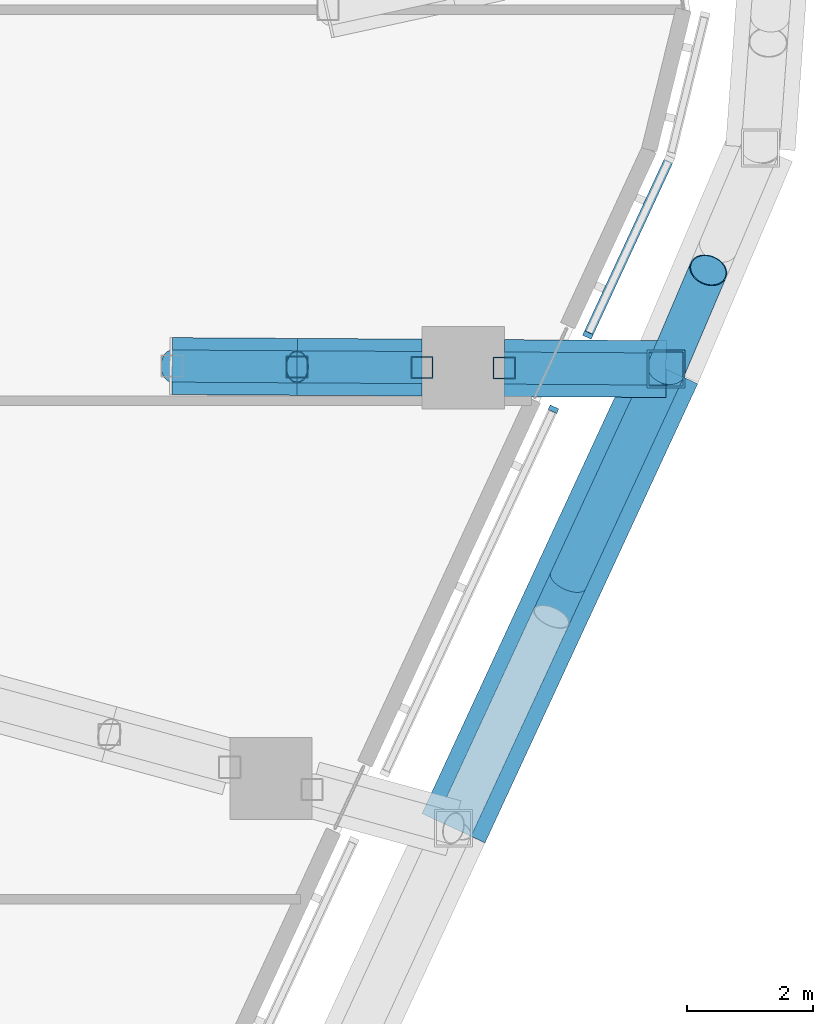
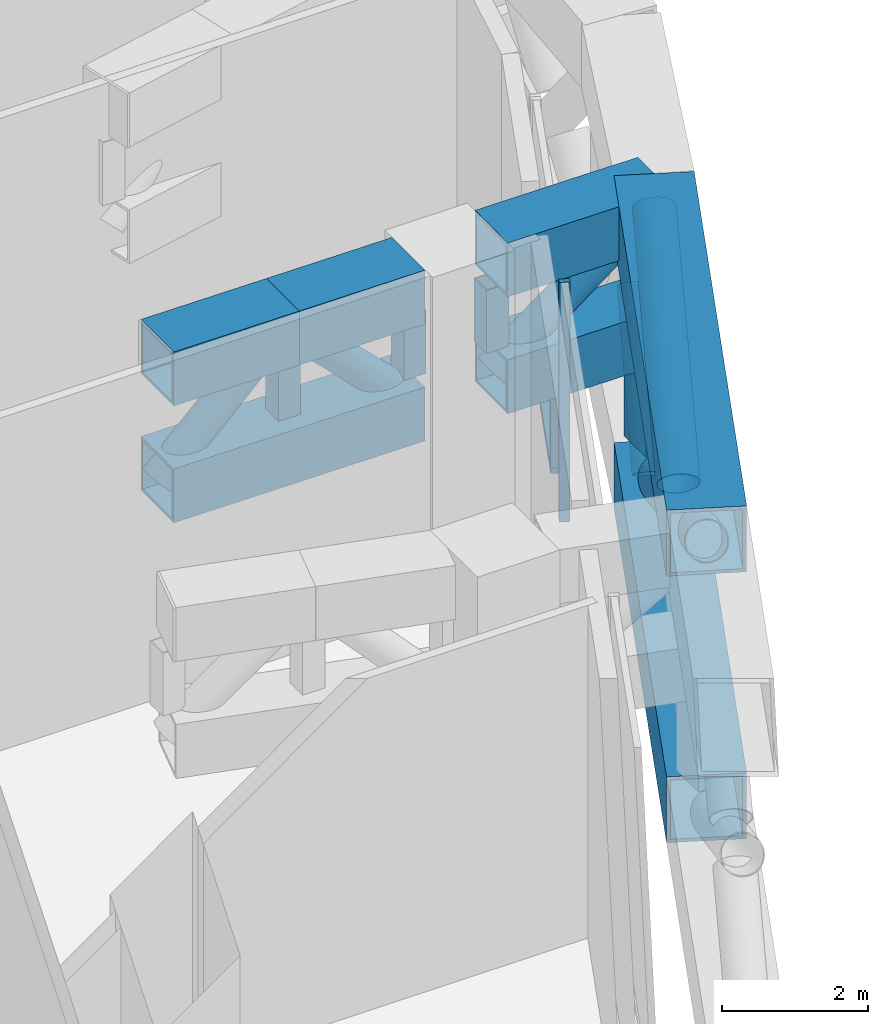
# One storey, part 8 of 30: 20 members, 1 element without a shape of its own.
"""IFC4 building model written with IfcOpenShell, lengths in metres."""

from ifc_helpers import new_model, si_unit, direction, frame, origin, origin_2d, place, context, subcontext, project, spatial, rectangle, hollow_rectangle, hollow_circle, extrude, material, layer, layer_set, material_profile, profile_set, type_object, element, aggregate, save


model = new_model("IFC4")

# Units and contexts
model_context = context("Model", 3, precision=1e-05, world=origin(), true_north=direction((0.0, 1.0)))
body_context = subcontext(model_context, "Body", "Model", "MODEL_VIEW")
ifc_project = project(units=[si_unit("LENGTHUNIT", "METRE"), si_unit("AREAUNIT", "SQUARE_METRE"), si_unit("VOLUMEUNIT", "CUBIC_METRE"), si_unit("PLANEANGLEUNIT", "RADIAN"), si_unit("MASSUNIT", "GRAM", prefix="KILO")], contexts=[model_context])

# Site, building, storey
site_placement = place(None, origin())
site = spatial("IfcSite", under=ifc_project, at=site_placement, CompositionType="ELEMENT")
building_placement = place(site_placement, origin())
building = spatial("IfcBuilding", under=site, at=building_placement, Name="Dongbaek Canopy Tower", CompositionType="ELEMENT")
storey_placement = place(building_placement, frame((0.0, 0.0, 145.60009765625)))
storey = spatial("IfcBuildingStorey", under=building, at=storey_placement, Name="L32", CompositionType="ELEMENT", Elevation=145.60009765625)

# Members
ifc_material_1 = material(Name="Steel S355", Category="steel")
ifc_material_profile_1 = material_profile(ifc_material_1, hollow_circle(Radius=0.304931640625, WallThickness=0.01611328125, at=origin_2d()), Name="BELT BRACE CHS 610.0x16.0 Steel S355")
ifc_profile_set_1 = profile_set([ifc_material_profile_1], Name="Steel S355")
member_type_1 = type_object("IfcMemberType", Name="BELT BRACE CHS 610.0x16.0 Steel S355", PredefinedType="BRACE", material=ifc_profile_set_1)
member_1_placement = place(storey_placement, frame((30.646240234375, -0.184326171875, 0.5498046875), z_axis=(-0.36736519919, -0.792966995247, 0.486051596925), x_axis=(0.907357444308, -0.420359927037, 0.0)))
element("IfcMember", 1, at=member_1_placement, inside=storey, type_object=member_type_1, Name="BELT:L32:22:D0:0", PredefinedType="BRACE", context=body_context, shape_type="SweptSolid", body=[
    extrude(hollow_circle(Radius=0.304931640625, WallThickness=0.01611328125, at=origin_2d()), origin(), (0.0, 0.0, 1.0), 9.15576171875),
])
member_2_placement = place(storey_placement, frame((30.646240234375, -0.184326171875, 5.0), z_axis=(-0.367352429298, -0.79297894434, -0.486041753887), x_axis=(0.907365433388, -0.420342681978, 0.0)))
element("IfcMember", 2, at=member_2_placement, inside=storey, type_object=member_type_1, Name="BELT:L32:22:D0:2", PredefinedType="BRACE", context=body_context, shape_type="SweptSolid", body=[
    extrude(hollow_circle(Radius=0.304931640625, WallThickness=0.01611328125, at=origin_2d()), origin(), (0.0, 0.0, 1.0), 4.21875),
])
member_3_placement = place(storey_placement, frame((30.646240234375, -0.184326171875, 0.5498046875), z_axis=(0.254502974163, 0.597354304826, 0.760523550358), x_axis=(-0.91998272586, 0.391958906161, 0.0)))
element("IfcMember", 3, at=member_3_placement, inside=storey, type_object=member_type_1, Name="BELT:L32:21:D1:1", PredefinedType="BRACE", context=body_context, shape_type="SweptSolid", body=[
    extrude(hollow_circle(Radius=0.304931640625, WallThickness=0.01611328125, at=origin_2d()), origin(), (0.0, 0.0, 1.0), 2.616943359375),
])
ifc_material_2 = material(Name="Steel S355", Category="steel")
ifc_material_profile_2 = material_profile(ifc_material_2, hollow_rectangle(XDim=1.10009765625, YDim=1.10009765625, WallThickness=0.054931640625, at=origin_2d()), Name="BELT CHORD BOX 1100x1100x55 Steel S355")
ifc_profile_set_2 = profile_set([ifc_material_profile_2], Name="Steel S355")
member_type_2 = type_object("IfcMemberType", Name="BELT CHORD BOX 1100x1100x55 Steel S355", PredefinedType="CHORD", material=ifc_profile_set_2)
for number, where, z_axis, x_axis, name in (
    (4, (30.646240234375, -0.184326171875, 0.5498046875), (-0.420359927037, -0.907357444308, 0.0), (0.907357444308, -0.420359927037, 0.0), "BELT:L32:22:CB0"),
    (5, (30.646240234375, -0.184326171875, 5.0), (-0.420359927037, -0.907357444308, 0.0), (0.907357444308, -0.420359927037, 0.0), "BELT:L32:22:CT0"),
):
    element("IfcMember", number, at=place(storey_placement, frame(where, z_axis=z_axis, x_axis=x_axis)), inside=storey, type_object=member_type_2, Name=name, PredefinedType="CHORD", context=body_context, shape_type="SweptSolid", body=[
        extrude(hollow_rectangle(XDim=1.10009765625, YDim=1.10009765625, WallThickness=0.054931640625, at=origin_2d()), origin(), (0.0, 0.0, 1.0), 8.00146484375),
    ])
ifc_material_3 = material(Name="Steel S355", Category="steel")
ifc_material_profile_3 = material_profile(ifc_material_3, hollow_rectangle(XDim=0.60009765625, YDim=0.60009765625, WallThickness=0.031982421875, at=origin_2d()), Name="BELT POST BOX 600x600x32 Steel S355")
ifc_profile_set_3 = profile_set([ifc_material_profile_3], Name="Steel S355")
member_type_3 = type_object("IfcMemberType", Name="BELT POST BOX 600x600x32 Steel S355", PredefinedType="POST", material=ifc_profile_set_3)
member_4_placement = place(storey_placement, frame((30.646240234375, -0.184326171875, 1.099853515625), z_axis=(0.0, 0.0, 1.0), x_axis=(1.0, 0.0, 0.0)))
element("IfcMember", 6, at=member_4_placement, inside=storey, type_object=member_type_3, Name="BELT:L32:22:P0", PredefinedType="POST", context=body_context, shape_type="SweptSolid", body=[
    extrude(hollow_rectangle(XDim=0.60009765625, YDim=0.60009765625, WallThickness=0.031982421875, at=origin_2d()), origin(), (0.0, 0.0, 1.0), 3.35009765625),
])
ifc_material_4 = material(Name="Steel S355", Category="steel")
ifc_material_profile_4 = material_profile(ifc_material_4, hollow_circle(Radius=0.25390625, WallThickness=0.01611328125, at=origin_2d()), Name="BRACE CHS 508.0x16.0 Steel S355")
ifc_profile_set_4 = profile_set([ifc_material_profile_4], Name="Steel S355")
member_type_4 = type_object("IfcMemberType", Name="BRACE CHS 508.0x16.0 Steel S355", PredefinedType="BRACE", material=ifc_profile_set_4)
for number, where, z_axis, x_axis, name in (
    (7, (22.836181640625, -0.13720703125, 3.14990234375), (0.711572342575, -0.004310427097, 0.702599616781), (0.006057497961, 0.999981653191, 0.0), "TRUSS:L32:22:D0"),
    (8, (24.81103515625, -0.149169921875, 5.099853515625), (0.711572342575, -0.004310427097, -0.702599616781), (0.006057497961, 0.999981653191, 0.0), "TRUSS:L32:22:D1"),
):
    element("IfcMember", number, at=place(storey_placement, frame(where, z_axis=z_axis, x_axis=x_axis)), inside=storey, type_object=member_type_4, Name=name, PredefinedType="BRACE", context=body_context, shape_type="SweptSolid", body=[
        extrude(hollow_circle(Radius=0.25390625, WallThickness=0.01611328125, at=origin_2d()), origin(), (0.0, 0.0, 1.0), 2.775390625),
    ])
member_5_placement = place(storey_placement, frame((28.0859375, -0.1689453125, 3.14990234375), z_axis=(0.795535812489, -0.004779131895, 0.605887721402), x_axis=(0.006007329381, 0.999981955834, 0.0)))
element("IfcMember", 9, at=member_5_placement, inside=storey, type_object=member_type_4, Name="TRUSS:L32:22x:D0", PredefinedType="BRACE", context=body_context, shape_type="SweptSolid", body=[
    extrude(hollow_circle(Radius=0.25390625, WallThickness=0.01611328125, at=origin_2d()), origin(), (0.0, 0.0, 1.0), 3.21826171875),
])
ifc_material_5 = material(Name="Steel S355", Category="steel")
ifc_material_profile_5 = material_profile(ifc_material_5, hollow_rectangle(XDim=0.89990234375, YDim=0.89990234375, WallThickness=0.044921875, at=origin_2d()), Name="CHORD BOX 900x900x45 Steel S355")
ifc_profile_set_5 = profile_set([ifc_material_profile_5], Name="Steel S355")
member_type_5 = type_object("IfcMemberType", Name="CHORD BOX 900x900x45 Steel S355", PredefinedType="CHORD", material=ifc_profile_set_5)
member_6_placement = place(storey_placement, frame((22.836181640625, -0.13720703125, 3.14990234375), z_axis=(0.999981653191, -0.006057497961, 0.0), x_axis=(0.006057497961, 0.999981653191, 0.0)))
element("IfcMember", 10, at=member_6_placement, inside=storey, type_object=member_type_5, Name="TRUSS:L32:22:CB", PredefinedType="CHORD", context=body_context, shape_type="SweptSolid", body=[
    extrude(hollow_rectangle(XDim=0.89990234375, YDim=0.89990234375, WallThickness=0.044921875, at=origin_2d()), origin(), (0.0, 0.0, 1.0), 3.94970703125),
])
for number, where, z_axis, x_axis, name in (
    (11, (22.836181640625, -0.13720703125, 5.099853515625), (0.999981653191, -0.006057497961, 0.0), (0.006057497961, 0.999981653191, 0.0), "TRUSS:L32:22:CT0"),
    (12, (24.81103515625, -0.149169921875, 5.099853515625), (0.999981653191, -0.006057497961, 0.0), (0.006057497961, 0.999981653191, 0.0), "TRUSS:L32:22:CT1"),
):
    element("IfcMember", number, at=place(storey_placement, frame(where, z_axis=z_axis, x_axis=x_axis)), inside=storey, type_object=member_type_5, Name=name, PredefinedType="CHORD", context=body_context, shape_type="SweptSolid", body=[
        extrude(hollow_rectangle(XDim=0.89990234375, YDim=0.89990234375, WallThickness=0.044921875, at=origin_2d()), origin(), (0.0, 0.0, 1.0), 1.974853515625),
    ])
for number, where, z_axis, x_axis, name in (
    (13, (28.0859375, -0.1689453125, 3.14990234375), (0.999981955834, -0.006007329381, 0.0), (0.006007329381, 0.999981955834, 0.0), "TRUSS:L32:22x:CB"),
    (14, (28.0859375, -0.1689453125, 5.099853515625), (0.999981955834, -0.006007329381, 0.0), (0.006007329381, 0.999981955834, 0.0), "TRUSS:L32:22x:CT0"),
):
    element("IfcMember", number, at=place(storey_placement, frame(where, z_axis=z_axis, x_axis=x_axis)), inside=storey, type_object=member_type_5, Name=name, PredefinedType="CHORD", context=body_context, shape_type="SweptSolid", body=[
        extrude(hollow_rectangle(XDim=0.89990234375, YDim=0.89990234375, WallThickness=0.044921875, at=origin_2d()), origin(), (0.0, 0.0, 1.0), 2.560302734375),
    ])

# Curtain wall, members
ifc_material_6 = material(Name="Aluminium 6063-T6 pale anodised", Category="aluminium")
ifc_layer = layer(ifc_material_6, 0.14990234375)
ifc_layer_set = layer_set([ifc_layer], Name="CW-7 louvre curtain wall")
curtain_wall_type = type_object("IfcCurtainWallType", Name="CW-7 louvre curtain wall", PredefinedType="NOTDEFINED", material=ifc_layer_set)
curtain_wall_placement = place(storey_placement, origin())
curtain_wall = element("IfcCurtainWall", 15, at=curtain_wall_placement, inside=storey, type_object=curtain_wall_type, Name="CW-7 louvre wall L32 F5", PredefinedType="NOTDEFINED")
ifc_material_7 = material(Name="Aluminium 6063-T6 pale anodised", Category="aluminium")
ifc_material_profile_6 = material_profile(ifc_material_7, rectangle(XDim=0.14990234375, YDim=0.080078125, at=origin_2d()), Name="CW-7 mullion 80 x 150")
ifc_profile_set_6 = profile_set([ifc_material_profile_6], Name="Aluminium 6063-T6 pale anodised")
member_type_6 = type_object("IfcMemberType", Name="CW-7 mullion 80 x 150", PredefinedType="MULLION", material=ifc_profile_set_6)
member_7_placement = place(storey_placement, frame((28.8642578125, -0.8193359375, 0.77490234375), z_axis=(0.0, 0.0, 1.0), x_axis=(0.907369226366, -0.420334494236, 0.0)))
member_7 = element("IfcMember", 16, at=member_7_placement, type_object=member_type_6, Name="CW-7 mullion L32 F5.4.2", PredefinedType="MULLION", context=body_context, shape_type="SweptSolid", body=[
    extrude(rectangle(XDim=0.14990234375, YDim=0.080078125, at=origin_2d()), origin(), (0.0, 0.0, 1.0), 4.0),
])
member_8_placement = place(storey_placement, frame((29.408203125, 0.354736328125, 0.77490234375), z_axis=(0.0, 0.0, 1.0), x_axis=(0.907369226366, -0.420334494236, 0.0)))
member_8 = element("IfcMember", 17, at=member_8_placement, type_object=member_type_6, Name="CW-7 mullion L32 F5.5.1", PredefinedType="MULLION", context=body_context, shape_type="SweptSolid", body=[
    extrude(rectangle(XDim=0.14990234375, YDim=0.080078125, at=origin_2d()), origin(), (0.0, 0.0, 1.0), 4.0),
])
ifc_material_8 = material(Name="Aluminium 6063-T6 pale anodised", Category="aluminium")
ifc_material_profile_7 = material_profile(ifc_material_8, rectangle(XDim=0.14990234375, YDim=0.1201171875, at=origin_2d()), Name="CW-7 transom 120 x 150")
ifc_profile_set_7 = profile_set([ifc_material_profile_7], Name="Aluminium 6063-T6 pale anodised")
member_type_7 = type_object("IfcMemberType", Name="CW-7 transom 120 x 150", PredefinedType="USERDEFINED", material=ifc_profile_set_7)
member_9_placement = place(storey_placement, frame((29.408203125, 0.354736328125, 0.71484375), z_axis=(0.420305824115, 0.907382507113, 0.0), x_axis=(-0.907382507113, 0.420305824115, 0.0)))
member_9 = element("IfcMember", 18, at=member_9_placement, type_object=member_type_7, Name="CW-7 transom L32 F5.5", ObjectType="TRANSOM", PredefinedType="USERDEFINED", context=body_context, shape_type="SweptSolid", body=[
    extrude(rectangle(XDim=0.14990234375, YDim=0.1201171875, at=origin_2d()), origin(), (0.0, 0.0, 1.0), 3.06396484375),
])
aggregate(curtain_wall, [member_7, member_9, member_8])

# Members
ifc_material_9 = material(Name="Steel S355", Category="steel")
ifc_material_profile_8 = material_profile(ifc_material_9, hollow_rectangle(XDim=0.35009765625, YDim=0.35009765625, WallThickness=0.01611328125, at=origin_2d()), Name="POST SHS 350x350x16 Steel S355")
ifc_profile_set_8 = profile_set([ifc_material_profile_8], Name="Steel S355")
member_type_8 = type_object("IfcMemberType", Name="POST SHS 350x350x16 Steel S355", PredefinedType="POST", material=ifc_profile_set_8)
for number, where, z_axis, x_axis, name in (
    (19, (24.81103515625, -0.149169921875, 3.599853515625), (0.0, 0.0, 1.0), (1.0, 0.0, 0.0), "TRUSS:L32:22:P1"),
    (20, (26.785888671875, -0.1611328125, 3.599853515625), (0.0, 0.0, 1.0), (1.0, 0.0, 0.0), "TRUSS:L32:22:P2"),
    (21, (28.0859375, -0.1689453125, 3.599853515625), (0.0, 0.0, 1.0), (1.0, 0.0, 0.0), "TRUSS:L32:22x:P0"),
):
    element("IfcMember", number, at=place(storey_placement, frame(where, z_axis=z_axis, x_axis=x_axis)), inside=storey, type_object=member_type_8, Name=name, PredefinedType="POST", context=body_context, shape_type="SweptSolid", body=[
        extrude(hollow_rectangle(XDim=0.35009765625, YDim=0.35009765625, WallThickness=0.01611328125, at=origin_2d()), origin(), (0.0, 0.0, 1.0), 1.050048828125),
    ])

save(model, "model.ifc")
